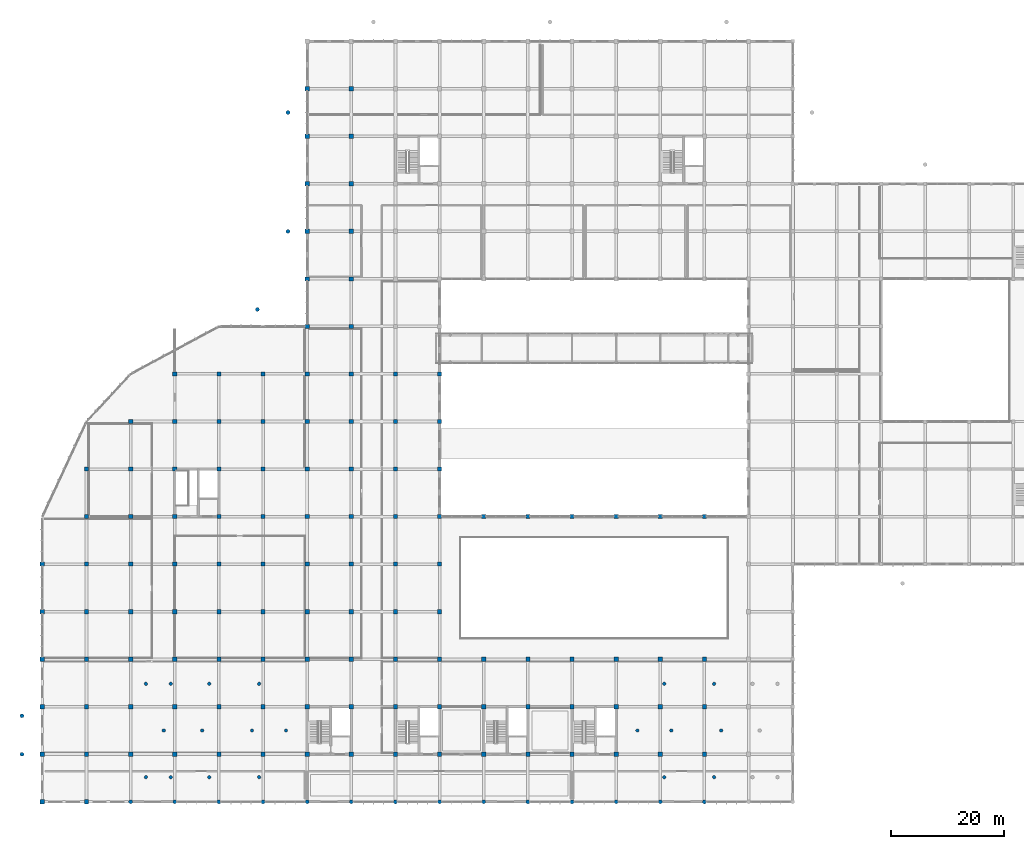
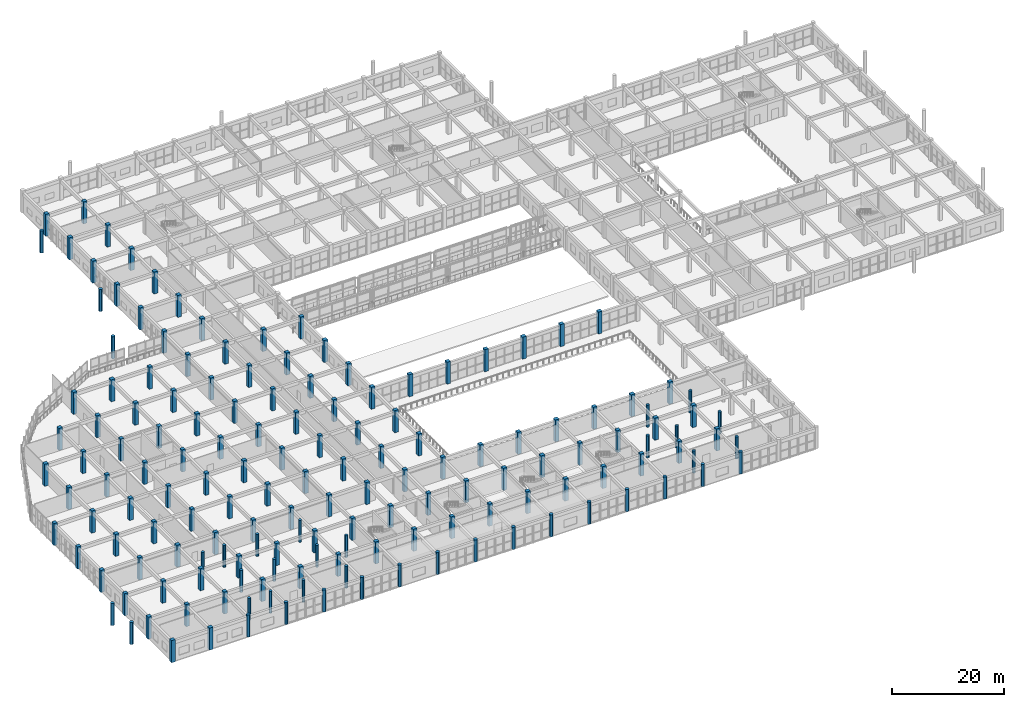
# One storey, part 1 of 167: 159 columns.
"""IFC4 building model written with IfcOpenShell, lengths in metres."""

from ifc_helpers import new_model, si_unit, direction, frame, origin, origin_2d, place, context, subcontext, project, spatial, rectangle, circle, extrude, material, material_profile, profile_set, type_object, element, save


model = new_model("IFC4")

# Units and contexts
model_context = context("Model", 3, precision=1e-05, world=origin(), true_north=direction((0.0, 1.0)))
body_context = subcontext(model_context, "Body", "Model", "MODEL_VIEW")
ifc_project = project(units=[si_unit("LENGTHUNIT", "METRE"), si_unit("AREAUNIT", "SQUARE_METRE"), si_unit("VOLUMEUNIT", "CUBIC_METRE"), si_unit("PLANEANGLEUNIT", "RADIAN"), si_unit("MASSUNIT", "GRAM", prefix="KILO")], contexts=[model_context])

# Site, building, storey
site_placement = place(None, origin())
site = spatial("IfcSite", under=ifc_project, at=site_placement, CompositionType="ELEMENT")
building_placement = place(site_placement, origin())
building = spatial("IfcBuilding", under=site, at=building_placement, Name="Zizhar Promenade General Hospital", CompositionType="ELEMENT")
storey_placement = place(building_placement, frame((0.0, 0.0, 9.60009765625)))
storey = spatial("IfcBuildingStorey", under=building, at=storey_placement, Name="L02", CompositionType="ELEMENT", Elevation=9.60009765625)

# Columns
ifc_material_1 = material(Name="Concrete C40/50", Category="concrete")
ifc_material_profile_1 = material_profile(ifc_material_1, circle(Radius=0.300048828125, at=origin_2d()))
ifc_profile_set_1 = profile_set([ifc_material_profile_1], Name="Concrete C40/50")
column_type_1 = type_object("IfcColumnType", Name="COL-CIRC-600", PredefinedType="PILASTER", material=ifc_profile_set_1)
for number, where, z_axis, x_axis, name in (
    (1, (18.300048828125, 4.35009765625, 0.0), (0.0, 0.0, 1.0), (1.0, 0.0, 0.0), "Ward Terrace Interior Support Column L06-W0 (L02)"),
    (2, (18.300048828125, 20.85009765625, 0.0), (0.0, 0.0, 1.0), (1.0, 0.0, 0.0), "Ward Terrace Interior Support Column L06-W1 (L02)"),
    (3, (21.449951171875, 12.60009765625, 0.0), (0.0, 0.0, 1.0), (1.0, 0.0, 0.0), "Ward Terrace Interior Support Column L06-W2 (L02)"),
    (4, (22.699951171875, 4.35009765625, 0.0), (0.0, 0.0, 1.0), (1.0, 0.0, 0.0), "Ward Terrace Interior Support Column L07-W0 (L02)"),
    (5, (22.699951171875, 20.85009765625, 0.0), (0.0, 0.0, 1.0), (1.0, 0.0, 0.0), "Ward Terrace Interior Support Column L07-W1 (L02)"),
    (6, (28.25, 12.60009765625, 0.0), (0.0, 0.0, 1.0), (1.0, 0.0, 0.0), "Ward Terrace Interior Support Column L07-W2 (L02)"),
    (7, (119.949951171875, 12.60009765625, 0.0), (0.0, 0.0, 1.0), (1.0, 0.0, 0.0), "Ward Terrace Interior Support Column L07-E2 (L02)"),
    (8, (29.5, 4.35009765625, 0.0), (0.0, 0.0, 1.0), (1.0, 0.0, 0.0), "Ward Terrace Interior Support Column L08-W0 (L02)"),
    (9, (29.5, 20.85009765625, 0.0), (0.0, 0.0, 1.0), (1.0, 0.0, 0.0), "Ward Terrace Interior Support Column L08-W1 (L02)"),
    (10, (37.050048828125, 12.60009765625, 0.0), (0.0, 0.0, 1.0), (1.0, 0.0, 0.0), "Ward Terrace Interior Support Column L08-W2 (L02)"),
    (11, (118.699951171875, 4.35009765625, 0.0), (0.0, 0.0, 1.0), (1.0, 0.0, 0.0), "Ward Terrace Interior Support Column L08-E0 (L02)"),
    (12, (118.699951171875, 20.85009765625, 0.0), (0.0, 0.0, 1.0), (1.0, 0.0, 0.0), "Ward Terrace Interior Support Column L08-E1 (L02)"),
    (13, (111.14990234375, 12.60009765625, 0.0), (0.0, 0.0, 1.0), (1.0, 0.0, 0.0), "Ward Terrace Interior Support Column L08-E2 (L02)"),
    (14, (38.300048828125, 4.35009765625, 0.0), (0.0, 0.0, 1.0), (1.0, 0.0, 0.0), "Ward Terrace Interior Support Column L09-W0 (L02)"),
    (15, (38.300048828125, 20.85009765625, 0.0), (0.0, 0.0, 1.0), (1.0, 0.0, 0.0), "Ward Terrace Interior Support Column L09-W1 (L02)"),
    (16, (43.050048828125, 12.60009765625, 0.0), (0.0, 0.0, 1.0), (1.0, 0.0, 0.0), "Ward Terrace Interior Support Column L09-W2 (L02)"),
    (17, (109.89990234375, 4.35009765625, 0.0), (0.0, 0.0, 1.0), (1.0, 0.0, 0.0), "Ward Terrace Interior Support Column L09-E0 (L02)"),
    (18, (109.89990234375, 20.85009765625, 0.0), (0.0, 0.0, 1.0), (1.0, 0.0, 0.0), "Ward Terrace Interior Support Column L09-E1 (L02)"),
    (19, (105.14990234375, 12.60009765625, 0.0), (0.0, 0.0, 1.0), (1.0, 0.0, 0.0), "Ward Terrace Interior Support Column L09-E2 (L02)"),
):
    element("IfcColumn", number, at=place(storey_placement, frame(where, z_axis=z_axis, x_axis=x_axis)), inside=storey, type_object=column_type_1, Name=name, PredefinedType="PILASTER", context=body_context, shape_type="SweptSolid", body=[
        extrude(circle(Radius=0.300048828125, at=origin_2d()), origin(), (0.0, 0.0, 1.0), 4.7998046875),
    ])
ifc_material_2 = material(Name="Concrete C40/50", Category="concrete")
ifc_material_profile_2 = material_profile(ifc_material_2, circle(Radius=0.35009765625, at=origin_2d()))
ifc_profile_set_2 = profile_set([ifc_material_profile_2], Name="Concrete C40/50")
column_type_2 = type_object("IfcColumnType", Name="COL-CIRC-700", PredefinedType="PILASTER", material=ifc_profile_set_2)
for number, where, z_axis, x_axis, name in (
    (20, (15.60009765625, 0.0, 0.0), (0.0, 0.0, 1.0), (1.0, 0.0, 0.0), "Column 3-A (L02)"),
    (21, (23.39990234375, 0.0, 0.0), (0.0, 0.0, 1.0), (1.0, 0.0, 0.0), "Column 4-A (L02)"),
    (22, (31.199951171875, 0.0, 0.0), (0.0, 0.0, 1.0), (1.0, 0.0, 0.0), "Column 5-A (L02)"),
    (23, (39.0, 0.0, 0.0), (0.0, 0.0, 1.0), (1.0, 0.0, 0.0), "Column 6-A (L02)"),
    (24, (46.800048828125, 0.0, 0.0), (0.0, 0.0, 1.0), (1.0, 0.0, 0.0), "Column 7-A (L02)"),
    (25, (54.60009765625, 0.0, 0.0), (0.0, 0.0, 1.0), (1.0, 0.0, 0.0), "Column 8-A (L02)"),
    (26, (62.39990234375, 0.0, 0.0), (0.0, 0.0, 1.0), (1.0, 0.0, 0.0), "Column 9-A (L02)"),
    (27, (70.199951171875, 0.0, 0.0), (0.0, 0.0, 1.0), (1.0, 0.0, 0.0), "Column 10-A (L02)"),
    (28, (78.0, 0.0, 0.0), (0.0, 0.0, 1.0), (1.0, 0.0, 0.0), "Column 11-A (L02)"),
    (29, (85.800048828125, 0.0, 0.0), (0.0, 0.0, 1.0), (1.0, 0.0, 0.0), "Column 12-A (L02)"),
    (30, (93.60009765625, 0.0, 0.0), (0.0, 0.0, 1.0), (1.0, 0.0, 0.0), "Column 13-A (L02)"),
    (31, (101.39990234375, 0.0, 0.0), (0.0, 0.0, 1.0), (1.0, 0.0, 0.0), "Column 14-A (L02)"),
    (32, (109.199951171875, 0.0, 0.0), (0.0, 0.0, 1.0), (1.0, 0.0, 0.0), "Column 15-A (L02)"),
    (33, (117.0, 0.0, 0.0), (0.0, 0.0, 1.0), (1.0, 0.0, 0.0), "Column 16-A (L02)"),
    (34, (-3.60009765625, 8.39990234375, 0.0), (0.0, 0.0, 1.0), (1.0, 0.0, 0.0), "Base Roof Colonnade Column 01 (L02)"),
    (35, (-3.60009765625, 15.199951171875, 0.0), (0.0, 0.0, 1.0), (1.0, 0.0, 0.0), "Base Roof Colonnade Column 02 (L02)"),
    (36, (38.0, 87.0, 0.0), (0.0, 0.0, 1.0), (1.0, 0.0, 0.0), "Base Roof Colonnade Column 03 (L02)"),
    (37, (43.39990234375, 100.800048828125, 0.0), (0.0, 0.0, 1.0), (1.0, 0.0, 0.0), "Base Roof Colonnade Column 04 (L02)"),
    (38, (43.39990234375, 121.800048828125, 0.0), (0.0, 0.0, 1.0), (1.0, 0.0, 0.0), "Base Roof Colonnade Column 05 (L02)"),
):
    element("IfcColumn", number, at=place(storey_placement, frame(where, z_axis=z_axis, x_axis=x_axis)), inside=storey, type_object=column_type_2, Name=name, PredefinedType="PILASTER", context=body_context, shape_type="SweptSolid", body=[
        extrude(circle(Radius=0.35009765625, at=origin_2d()), origin(), (0.0, 0.0, 1.0), 4.7998046875),
    ])
ifc_material_3 = material(Name="Concrete C40/50", Category="concrete")
ifc_material_profile_3 = material_profile(ifc_material_3, rectangle(XDim=0.75, YDim=0.75, at=origin_2d()))
ifc_profile_set_3 = profile_set([ifc_material_profile_3], Name="Concrete C40/50")
column_type_3 = type_object("IfcColumnType", Name="COL-RC-750", PredefinedType="COLUMN", material=ifc_profile_set_3)
for number, where, z_axis, x_axis, name in (
    (39, (0.0, 0.0, 0.0), (0.0, 0.0, 1.0), (1.0, 0.0, 0.0), "Column 1-A (L02)"),
    (40, (0.0, 8.39990234375, 0.0), (0.0, 0.0, 1.0), (1.0, 0.0, 0.0), "Column 1-B (L02)"),
    (41, (0.0, 16.800048828125, 0.0), (0.0, 0.0, 1.0), (1.0, 0.0, 0.0), "Column 1-C (L02)"),
    (42, (0.0, 25.199951171875, 0.0), (0.0, 0.0, 1.0), (1.0, 0.0, 0.0), "Column 1-D (L02)"),
    (43, (0.0, 33.60009765625, 0.0), (0.0, 0.0, 1.0), (1.0, 0.0, 0.0), "Column 1-E (L02)"),
    (44, (0.0, 42.0, 0.0), (0.0, 0.0, 1.0), (1.0, 0.0, 0.0), "Column 1-F (L02)"),
    (45, (7.800048828125, 0.0, 0.0), (0.0, 0.0, 1.0), (1.0, 0.0, 0.0), "Column 2-A (L02)"),
    (46, (7.800048828125, 8.39990234375, 0.0), (0.0, 0.0, 1.0), (1.0, 0.0, 0.0), "Column 2-B (L02)"),
    (47, (7.800048828125, 16.800048828125, 0.0), (0.0, 0.0, 1.0), (1.0, 0.0, 0.0), "Column 2-C (L02)"),
    (48, (7.800048828125, 25.199951171875, 0.0), (0.0, 0.0, 1.0), (1.0, 0.0, 0.0), "Column 2-D (L02)"),
    (49, (7.800048828125, 33.60009765625, 0.0), (0.0, 0.0, 1.0), (1.0, 0.0, 0.0), "Column 2-E (L02)"),
    (50, (7.800048828125, 42.0, 0.0), (0.0, 0.0, 1.0), (1.0, 0.0, 0.0), "Column 2-F (L02)"),
    (51, (7.800048828125, 50.39990234375, 0.0), (0.0, 0.0, 1.0), (1.0, 0.0, 0.0), "Column 2-G (L02)"),
    (52, (7.800048828125, 58.800048828125, 0.0), (0.0, 0.0, 1.0), (1.0, 0.0, 0.0), "Column 2-H (L02)"),
    (53, (15.60009765625, 8.39990234375, 0.0), (0.0, 0.0, 1.0), (1.0, 0.0, 0.0), "Column 3-B (L02)"),
    (54, (15.60009765625, 16.800048828125, 0.0), (0.0, 0.0, 1.0), (1.0, 0.0, 0.0), "Column 3-C (L02)"),
    (55, (15.60009765625, 25.199951171875, 0.0), (0.0, 0.0, 1.0), (1.0, 0.0, 0.0), "Column 3-D (L02)"),
    (56, (15.60009765625, 33.60009765625, 0.0), (0.0, 0.0, 1.0), (1.0, 0.0, 0.0), "Column 3-E (L02)"),
    (57, (15.60009765625, 42.0, 0.0), (0.0, 0.0, 1.0), (1.0, 0.0, 0.0), "Column 3-F (L02)"),
    (58, (15.60009765625, 50.39990234375, 0.0), (0.0, 0.0, 1.0), (1.0, 0.0, 0.0), "Column 3-G (L02)"),
    (59, (15.60009765625, 58.800048828125, 0.0), (0.0, 0.0, 1.0), (1.0, 0.0, 0.0), "Column 3-H (L02)"),
    (60, (15.60009765625, 67.199951171875, 0.0), (0.0, 0.0, 1.0), (1.0, 0.0, 0.0), "Column 3-J (L02)"),
    (61, (23.39990234375, 8.39990234375, 0.0), (0.0, 0.0, 1.0), (1.0, 0.0, 0.0), "Column 4-B (L02)"),
    (62, (23.39990234375, 16.800048828125, 0.0), (0.0, 0.0, 1.0), (1.0, 0.0, 0.0), "Column 4-C (L02)"),
    (63, (23.39990234375, 25.199951171875, 0.0), (0.0, 0.0, 1.0), (1.0, 0.0, 0.0), "Column 4-D (L02)"),
    (64, (23.39990234375, 33.60009765625, 0.0), (0.0, 0.0, 1.0), (1.0, 0.0, 0.0), "Column 4-E (L02)"),
    (65, (23.39990234375, 42.0, 0.0), (0.0, 0.0, 1.0), (1.0, 0.0, 0.0), "Column 4-F (L02)"),
    (66, (23.39990234375, 50.39990234375, 0.0), (0.0, 0.0, 1.0), (1.0, 0.0, 0.0), "Column 4-G (L02)"),
    (67, (23.39990234375, 58.800048828125, 0.0), (0.0, 0.0, 1.0), (1.0, 0.0, 0.0), "Column 4-H (L02)"),
    (68, (23.39990234375, 67.199951171875, 0.0), (0.0, 0.0, 1.0), (1.0, 0.0, 0.0), "Column 4-J (L02)"),
    (69, (23.39990234375, 75.60009765625, 0.0), (0.0, 0.0, 1.0), (1.0, 0.0, 0.0), "Column 4-K (L02)"),
    (70, (31.199951171875, 8.39990234375, 0.0), (0.0, 0.0, 1.0), (1.0, 0.0, 0.0), "Column 5-B (L02)"),
    (71, (31.199951171875, 16.800048828125, 0.0), (0.0, 0.0, 1.0), (1.0, 0.0, 0.0), "Column 5-C (L02)"),
    (72, (31.199951171875, 25.199951171875, 0.0), (0.0, 0.0, 1.0), (1.0, 0.0, 0.0), "Column 5-D (L02)"),
    (73, (31.199951171875, 33.60009765625, 0.0), (0.0, 0.0, 1.0), (1.0, 0.0, 0.0), "Column 5-E (L02)"),
    (74, (31.199951171875, 42.0, 0.0), (0.0, 0.0, 1.0), (1.0, 0.0, 0.0), "Column 5-F (L02)"),
    (75, (31.199951171875, 50.39990234375, 0.0), (0.0, 0.0, 1.0), (1.0, 0.0, 0.0), "Column 5-G (L02)"),
    (76, (31.199951171875, 58.800048828125, 0.0), (0.0, 0.0, 1.0), (1.0, 0.0, 0.0), "Column 5-H (L02)"),
    (77, (31.199951171875, 67.199951171875, 0.0), (0.0, 0.0, 1.0), (1.0, 0.0, 0.0), "Column 5-J (L02)"),
    (78, (31.199951171875, 75.60009765625, 0.0), (0.0, 0.0, 1.0), (1.0, 0.0, 0.0), "Column 5-K (L02)"),
    (79, (39.0, 8.39990234375, 0.0), (0.0, 0.0, 1.0), (1.0, 0.0, 0.0), "Column 6-B (L02)"),
    (80, (39.0, 16.800048828125, 0.0), (0.0, 0.0, 1.0), (1.0, 0.0, 0.0), "Column 6-C (L02)"),
    (81, (39.0, 25.199951171875, 0.0), (0.0, 0.0, 1.0), (1.0, 0.0, 0.0), "Column 6-D (L02)"),
    (82, (39.0, 33.60009765625, 0.0), (0.0, 0.0, 1.0), (1.0, 0.0, 0.0), "Column 6-E (L02)"),
    (83, (39.0, 42.0, 0.0), (0.0, 0.0, 1.0), (1.0, 0.0, 0.0), "Column 6-F (L02)"),
    (84, (39.0, 50.39990234375, 0.0), (0.0, 0.0, 1.0), (1.0, 0.0, 0.0), "Column 6-G (L02)"),
    (85, (39.0, 58.800048828125, 0.0), (0.0, 0.0, 1.0), (1.0, 0.0, 0.0), "Column 6-H (L02)"),
    (86, (39.0, 67.199951171875, 0.0), (0.0, 0.0, 1.0), (1.0, 0.0, 0.0), "Column 6-J (L02)"),
    (87, (39.0, 75.60009765625, 0.0), (0.0, 0.0, 1.0), (1.0, 0.0, 0.0), "Column 6-K (L02)"),
    (88, (46.800048828125, 8.39990234375, 0.0), (0.0, 0.0, 1.0), (1.0, 0.0, 0.0), "Column 7-B (L02)"),
    (89, (46.800048828125, 16.800048828125, 0.0), (0.0, 0.0, 1.0), (1.0, 0.0, 0.0), "Column 7-C (L02)"),
    (90, (46.800048828125, 25.199951171875, 0.0), (0.0, 0.0, 1.0), (1.0, 0.0, 0.0), "Column 7-D (L02)"),
    (91, (46.800048828125, 33.60009765625, 0.0), (0.0, 0.0, 1.0), (1.0, 0.0, 0.0), "Column 7-E (L02)"),
    (92, (46.800048828125, 42.0, 0.0), (0.0, 0.0, 1.0), (1.0, 0.0, 0.0), "Column 7-F (L02)"),
    (93, (46.800048828125, 50.39990234375, 0.0), (0.0, 0.0, 1.0), (1.0, 0.0, 0.0), "Column 7-G (L02)"),
    (94, (46.800048828125, 58.800048828125, 0.0), (0.0, 0.0, 1.0), (1.0, 0.0, 0.0), "Column 7-H (L02)"),
    (95, (46.800048828125, 67.199951171875, 0.0), (0.0, 0.0, 1.0), (1.0, 0.0, 0.0), "Column 7-J (L02)"),
    (96, (46.800048828125, 75.60009765625, 0.0), (0.0, 0.0, 1.0), (1.0, 0.0, 0.0), "Column 7-K (L02)"),
    (97, (46.800048828125, 84.0, 0.0), (0.0, 0.0, 1.0), (1.0, 0.0, 0.0), "Column 7-L (L02)"),
    (98, (46.800048828125, 92.39990234375, 0.0), (0.0, 0.0, 1.0), (1.0, 0.0, 0.0), "Column 7-M (L02)"),
    (99, (46.800048828125, 100.800048828125, 0.0), (0.0, 0.0, 1.0), (1.0, 0.0, 0.0), "Column 7-N (L02)"),
    (100, (46.800048828125, 109.199951171875, 0.0), (0.0, 0.0, 1.0), (1.0, 0.0, 0.0), "Column 7-P (L02)"),
    (101, (46.800048828125, 117.60009765625, 0.0), (0.0, 0.0, 1.0), (1.0, 0.0, 0.0), "Column 7-Q (L02)"),
    (102, (46.800048828125, 126.0, 0.0), (0.0, 0.0, 1.0), (1.0, 0.0, 0.0), "Column 7-R (L02)"),
    (103, (54.60009765625, 8.39990234375, 0.0), (0.0, 0.0, 1.0), (1.0, 0.0, 0.0), "Column 8-B (L02)"),
    (104, (54.60009765625, 16.800048828125, 0.0), (0.0, 0.0, 1.0), (1.0, 0.0, 0.0), "Column 8-C (L02)"),
    (105, (54.60009765625, 25.199951171875, 0.0), (0.0, 0.0, 1.0), (1.0, 0.0, 0.0), "Column 8-D (L02)"),
    (106, (54.60009765625, 33.60009765625, 0.0), (0.0, 0.0, 1.0), (1.0, 0.0, 0.0), "Column 8-E (L02)"),
    (107, (54.60009765625, 42.0, 0.0), (0.0, 0.0, 1.0), (1.0, 0.0, 0.0), "Column 8-F (L02)"),
    (108, (54.60009765625, 50.39990234375, 0.0), (0.0, 0.0, 1.0), (1.0, 0.0, 0.0), "Column 8-G (L02)"),
    (109, (54.60009765625, 58.800048828125, 0.0), (0.0, 0.0, 1.0), (1.0, 0.0, 0.0), "Column 8-H (L02)"),
    (110, (54.60009765625, 67.199951171875, 0.0), (0.0, 0.0, 1.0), (1.0, 0.0, 0.0), "Column 8-J (L02)"),
    (111, (54.60009765625, 75.60009765625, 0.0), (0.0, 0.0, 1.0), (1.0, 0.0, 0.0), "Column 8-K (L02)"),
    (112, (54.60009765625, 84.0, 0.0), (0.0, 0.0, 1.0), (1.0, 0.0, 0.0), "Column 8-L (L02)"),
    (113, (54.60009765625, 92.39990234375, 0.0), (0.0, 0.0, 1.0), (1.0, 0.0, 0.0), "Column 8-M (L02)"),
    (114, (54.60009765625, 100.800048828125, 0.0), (0.0, 0.0, 1.0), (1.0, 0.0, 0.0), "Column 8-N (L02)"),
    (115, (54.60009765625, 109.199951171875, 0.0), (0.0, 0.0, 1.0), (1.0, 0.0, 0.0), "Column 8-P (L02)"),
    (116, (54.60009765625, 117.60009765625, 0.0), (0.0, 0.0, 1.0), (1.0, 0.0, 0.0), "Column 8-Q (L02)"),
    (117, (54.60009765625, 126.0, 0.0), (0.0, 0.0, 1.0), (1.0, 0.0, 0.0), "Column 8-R (L02)"),
    (118, (62.39990234375, 8.39990234375, 0.0), (0.0, 0.0, 1.0), (1.0, 0.0, 0.0), "Column 9-B (L02)"),
    (119, (62.39990234375, 16.800048828125, 0.0), (0.0, 0.0, 1.0), (1.0, 0.0, 0.0), "Column 9-C (L02)"),
    (120, (62.39990234375, 25.199951171875, 0.0), (0.0, 0.0, 1.0), (1.0, 0.0, 0.0), "Column 9-D (L02)"),
    (121, (62.39990234375, 33.60009765625, 0.0), (0.0, 0.0, 1.0), (1.0, 0.0, 0.0), "Column 9-E (L02)"),
    (122, (62.39990234375, 42.0, 0.0), (0.0, 0.0, 1.0), (1.0, 0.0, 0.0), "Column 9-F (L02)"),
    (123, (62.39990234375, 50.39990234375, 0.0), (0.0, 0.0, 1.0), (1.0, 0.0, 0.0), "Column 9-G (L02)"),
    (124, (62.39990234375, 58.800048828125, 0.0), (0.0, 0.0, 1.0), (1.0, 0.0, 0.0), "Column 9-H (L02)"),
    (125, (62.39990234375, 67.199951171875, 0.0), (0.0, 0.0, 1.0), (1.0, 0.0, 0.0), "Column 9-J (L02)"),
    (126, (62.39990234375, 75.60009765625, 0.0), (0.0, 0.0, 1.0), (1.0, 0.0, 0.0), "Column 9-K (L02)"),
    (127, (70.199951171875, 8.39990234375, 0.0), (0.0, 0.0, 1.0), (1.0, 0.0, 0.0), "Column 10-B (L02)"),
    (128, (70.199951171875, 16.800048828125, 0.0), (0.0, 0.0, 1.0), (1.0, 0.0, 0.0), "Column 10-C (L02)"),
    (129, (70.199951171875, 25.199951171875, 0.0), (0.0, 0.0, 1.0), (1.0, 0.0, 0.0), "Column 10-D (L02)"),
    (130, (70.199951171875, 33.60009765625, 0.0), (0.0, 0.0, 1.0), (1.0, 0.0, 0.0), "Column 10-E (L02)"),
    (131, (70.199951171875, 42.0, 0.0), (0.0, 0.0, 1.0), (1.0, 0.0, 0.0), "Column 10-F (L02)"),
    (132, (70.199951171875, 50.39990234375, 0.0), (0.0, 0.0, 1.0), (1.0, 0.0, 0.0), "Column 10-G (L02)"),
    (133, (70.199951171875, 58.800048828125, 0.0), (0.0, 0.0, 1.0), (1.0, 0.0, 0.0), "Column 10-H (L02)"),
    (134, (70.199951171875, 67.199951171875, 0.0), (0.0, 0.0, 1.0), (1.0, 0.0, 0.0), "Column 10-J (L02)"),
    (135, (70.199951171875, 75.60009765625, 0.0), (0.0, 0.0, 1.0), (1.0, 0.0, 0.0), "Column 10-K (L02)"),
    (136, (78.0, 8.39990234375, 0.0), (0.0, 0.0, 1.0), (1.0, 0.0, 0.0), "Column 11-B (L02)"),
    (137, (78.0, 16.800048828125, 0.0), (0.0, 0.0, 1.0), (1.0, 0.0, 0.0), "Column 11-C (L02)"),
    (138, (78.0, 25.199951171875, 0.0), (0.0, 0.0, 1.0), (1.0, 0.0, 0.0), "Column 11-D (L02)"),
    (139, (78.0, 50.39990234375, 0.0), (0.0, 0.0, 1.0), (1.0, 0.0, 0.0), "Column 11-G (L02)"),
    (140, (85.800048828125, 8.39990234375, 0.0), (0.0, 0.0, 1.0), (1.0, 0.0, 0.0), "Column 12-B (L02)"),
    (141, (85.800048828125, 16.800048828125, 0.0), (0.0, 0.0, 1.0), (1.0, 0.0, 0.0), "Column 12-C (L02)"),
    (142, (85.800048828125, 25.199951171875, 0.0), (0.0, 0.0, 1.0), (1.0, 0.0, 0.0), "Column 12-D (L02)"),
    (143, (85.800048828125, 50.39990234375, 0.0), (0.0, 0.0, 1.0), (1.0, 0.0, 0.0), "Column 12-G (L02)"),
    (144, (93.60009765625, 8.39990234375, 0.0), (0.0, 0.0, 1.0), (1.0, 0.0, 0.0), "Column 13-B (L02)"),
    (145, (93.60009765625, 16.800048828125, 0.0), (0.0, 0.0, 1.0), (1.0, 0.0, 0.0), "Column 13-C (L02)"),
    (146, (93.60009765625, 25.199951171875, 0.0), (0.0, 0.0, 1.0), (1.0, 0.0, 0.0), "Column 13-D (L02)"),
    (147, (93.60009765625, 50.39990234375, 0.0), (0.0, 0.0, 1.0), (1.0, 0.0, 0.0), "Column 13-G (L02)"),
    (148, (101.39990234375, 8.39990234375, 0.0), (0.0, 0.0, 1.0), (1.0, 0.0, 0.0), "Column 14-B (L02)"),
    (149, (101.39990234375, 16.800048828125, 0.0), (0.0, 0.0, 1.0), (1.0, 0.0, 0.0), "Column 14-C (L02)"),
    (150, (101.39990234375, 25.199951171875, 0.0), (0.0, 0.0, 1.0), (1.0, 0.0, 0.0), "Column 14-D (L02)"),
    (151, (101.39990234375, 50.39990234375, 0.0), (0.0, 0.0, 1.0), (1.0, 0.0, 0.0), "Column 14-G (L02)"),
    (152, (109.199951171875, 8.39990234375, 0.0), (0.0, 0.0, 1.0), (1.0, 0.0, 0.0), "Column 15-B (L02)"),
    (153, (109.199951171875, 16.800048828125, 0.0), (0.0, 0.0, 1.0), (1.0, 0.0, 0.0), "Column 15-C (L02)"),
    (154, (109.199951171875, 25.199951171875, 0.0), (0.0, 0.0, 1.0), (1.0, 0.0, 0.0), "Column 15-D (L02)"),
    (155, (109.199951171875, 50.39990234375, 0.0), (0.0, 0.0, 1.0), (1.0, 0.0, 0.0), "Column 15-G (L02)"),
    (156, (117.0, 8.39990234375, 0.0), (0.0, 0.0, 1.0), (1.0, 0.0, 0.0), "Column 16-B (L02)"),
    (157, (117.0, 16.800048828125, 0.0), (0.0, 0.0, 1.0), (1.0, 0.0, 0.0), "Column 16-C (L02)"),
    (158, (117.0, 25.199951171875, 0.0), (0.0, 0.0, 1.0), (1.0, 0.0, 0.0), "Column 16-D (L02)"),
    (159, (117.0, 50.39990234375, 0.0), (0.0, 0.0, 1.0), (1.0, 0.0, 0.0), "Column 16-G (L02)"),
):
    element("IfcColumn", number, at=place(storey_placement, frame(where, z_axis=z_axis, x_axis=x_axis)), inside=storey, type_object=column_type_3, Name=name, PredefinedType="COLUMN", context=body_context, shape_type="SweptSolid", body=[
        extrude(rectangle(XDim=0.75, YDim=0.75, at=origin_2d()), origin(), (0.0, 0.0, 1.0), 4.7998046875),
    ])

save(model, "model.ifc")
